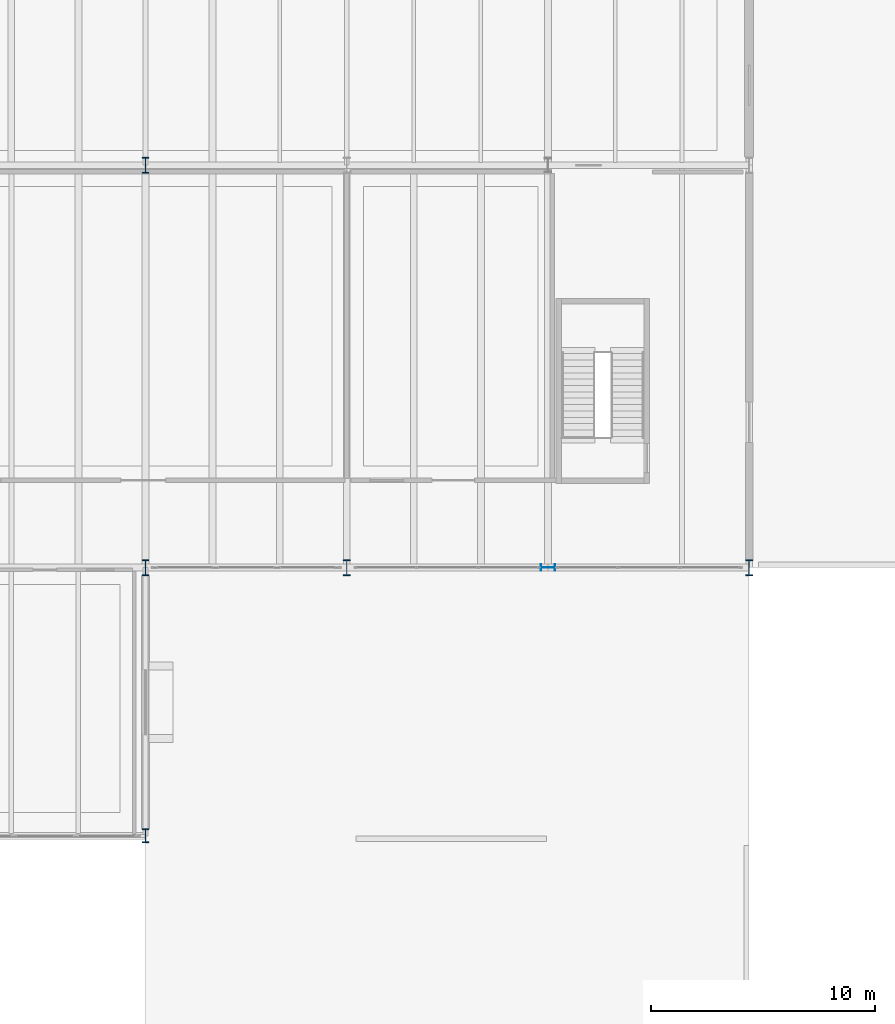
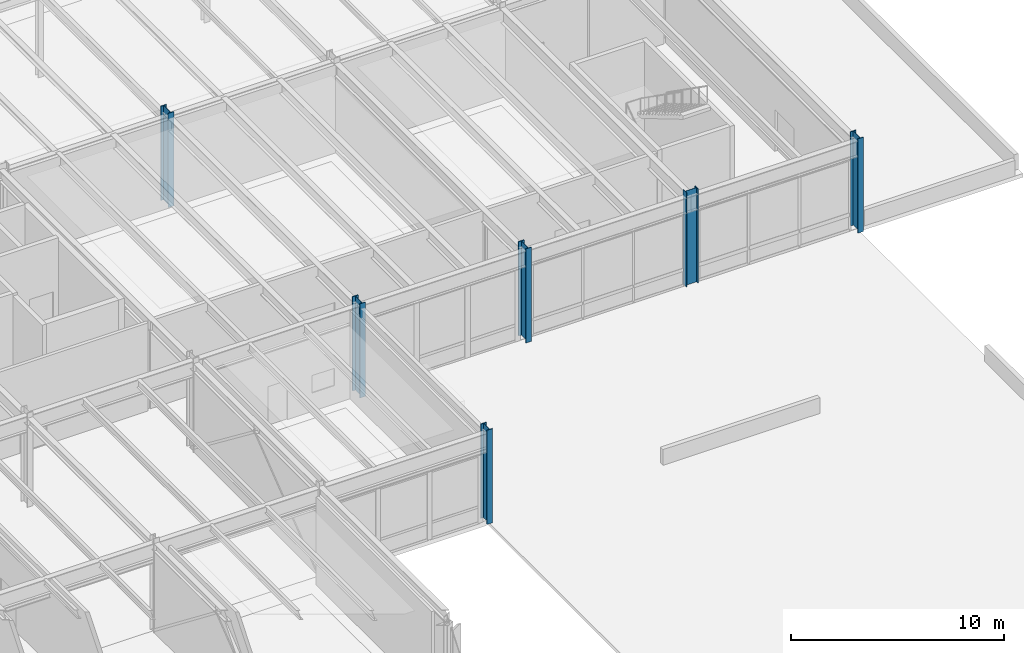
# One storey, part 17 of 143: 6 columns.
"""IFC4 building model written with IfcOpenShell, lengths in metres."""

from ifc_helpers import new_model, si_unit, direction, frame, origin, origin_2d, place, context, subcontext, project, spatial, i_section, extrude, material, material_profile, profile_set, type_object, element, save


model = new_model("IFC4")

# Units and contexts
model_context = context("Model", 3, precision=1e-05, world=origin(), true_north=direction((0.0, 1.0)))
body_context = subcontext(model_context, "Body", "Model", "MODEL_VIEW")
ifc_project = project(units=[si_unit("LENGTHUNIT", "METRE"), si_unit("AREAUNIT", "SQUARE_METRE"), si_unit("VOLUMEUNIT", "CUBIC_METRE"), si_unit("PLANEANGLEUNIT", "RADIAN"), si_unit("MASSUNIT", "GRAM", prefix="KILO")], contexts=[model_context])

# Site, building, storey
site_placement = place(None, origin())
site = spatial("IfcSite", under=ifc_project, at=site_placement, CompositionType="ELEMENT")
building_placement = place(site_placement, origin())
building = spatial("IfcBuilding", under=site, at=building_placement, Name="Montelvaro Courts of Justice", CompositionType="ELEMENT")
storey_placement = place(building_placement, origin())
storey = spatial("IfcBuildingStorey", under=building, at=storey_placement, Name="L00", CompositionType="ELEMENT", Elevation=0.0)

# Columns
ifc_material = material(Name="Steel S355", Category="steel")
ifc_material_profile_1 = material_profile(ifc_material, i_section(OverallWidth=0.300048828125, OverallDepth=0.64990234375, WebThickness=0.01611328125, FlangeThickness=0.031005859375, at=origin_2d()), Name="HEB 650")
ifc_profile_set_1 = profile_set([ifc_material_profile_1], Name="Steel S355")
column_type_1 = type_object("IfcColumnType", Name="Col_HEB650", PredefinedType="COLUMN", material=ifc_profile_set_1)
column_1_placement = place(storey_placement, frame((153.0, 78.0, 0.0), z_axis=(0.0, 0.0, 1.0), x_axis=(0.0, 1.0, 0.0)))
element("IfcColumn", 1, at=column_1_placement, inside=storey, type_object=column_type_1, Name="Column C-12 L00 18/G", PredefinedType="COLUMN", context=body_context, shape_type="SweptSolid", body=[
    extrude(i_section(OverallWidth=0.300048828125, OverallDepth=0.64990234375, WebThickness=0.01611328125, FlangeThickness=0.031005859375, at=origin_2d()), origin(), (0.0, 0.0, 1.0), 5.39990234375),
])
ifc_material_profile_2 = material_profile(ifc_material, i_section(OverallWidth=0.304931640625, OverallDepth=0.6201171875, WebThickness=0.02099609375, FlangeThickness=0.0400390625, at=origin_2d()), Name="HEM 600")
ifc_profile_set_2 = profile_set([ifc_material_profile_2], Name="Steel S355")
column_type_2 = type_object("IfcColumnType", Name="Col_HEM600", PredefinedType="COLUMN", material=ifc_profile_set_2)
column_2_placement = place(storey_placement, frame((135.0, 66.0, 0.0), z_axis=(0.0, 0.0, 1.0), x_axis=(1.0, 0.0, 0.0)))
element("IfcColumn", 2, at=column_2_placement, inside=storey, type_object=column_type_2, Name="Column C-15 L00 16/F", PredefinedType="COLUMN", context=body_context, shape_type="SweptSolid", body=[
    extrude(i_section(OverallWidth=0.304931640625, OverallDepth=0.6201171875, WebThickness=0.02099609375, FlangeThickness=0.0400390625, at=origin_2d()), origin(), (0.0, 0.0, 1.0), 5.39990234375),
])
ifc_material_profile_3 = material_profile(ifc_material, i_section(OverallWidth=0.303955078125, OverallDepth=0.716064453125, WebThickness=0.02099609375, FlangeThickness=0.0400390625, at=origin_2d()), Name="HEM 700")
ifc_profile_set_3 = profile_set([ifc_material_profile_3], Name="Steel S355")
column_type_3 = type_object("IfcColumnType", Name="Col_HEM700", PredefinedType="COLUMN", material=ifc_profile_set_3)
for number, where, z_axis, x_axis, name in (
    (3, (135.0, 78.0, 0.0), (0.0, 0.0, 1.0), (1.0, 0.0, 0.0), "Column C-16 L00 16/G"),
    (4, (135.0, 96.0, 0.0), (0.0, 0.0, 1.0), (1.0, 0.0, 0.0), "Column C-16 L00 16/H"),
    (5, (144.0, 78.0, 0.0), (0.0, 0.0, 1.0), (1.0, 0.0, 0.0), "Column C-16 L00 17/G"),
    (6, (162.0, 78.0, 0.0), (0.0, 0.0, 1.0), (1.0, 0.0, 0.0), "Column C-16 L00 19/G"),
):
    element("IfcColumn", number, at=place(storey_placement, frame(where, z_axis=z_axis, x_axis=x_axis)), inside=storey, type_object=column_type_3, Name=name, PredefinedType="COLUMN", context=body_context, shape_type="SweptSolid", body=[
        extrude(i_section(OverallWidth=0.303955078125, OverallDepth=0.716064453125, WebThickness=0.02099609375, FlangeThickness=0.0400390625, at=origin_2d()), origin(), (0.0, 0.0, 1.0), 5.39990234375),
    ])

save(model, "model.ifc")
